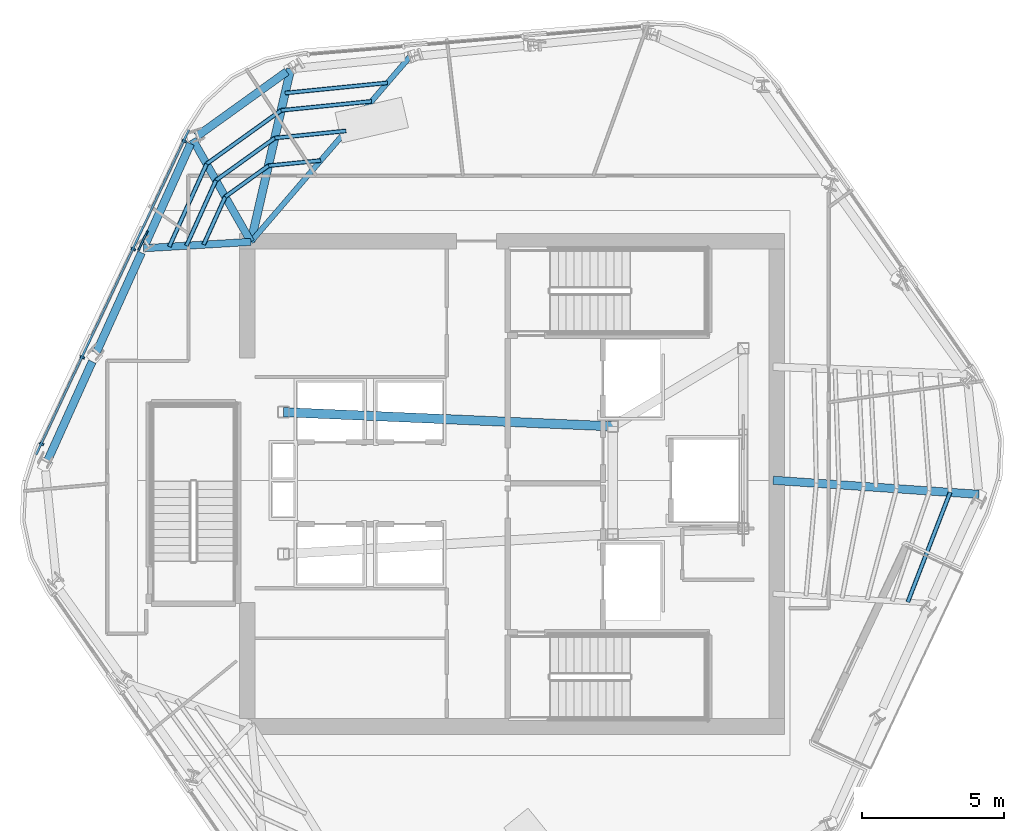
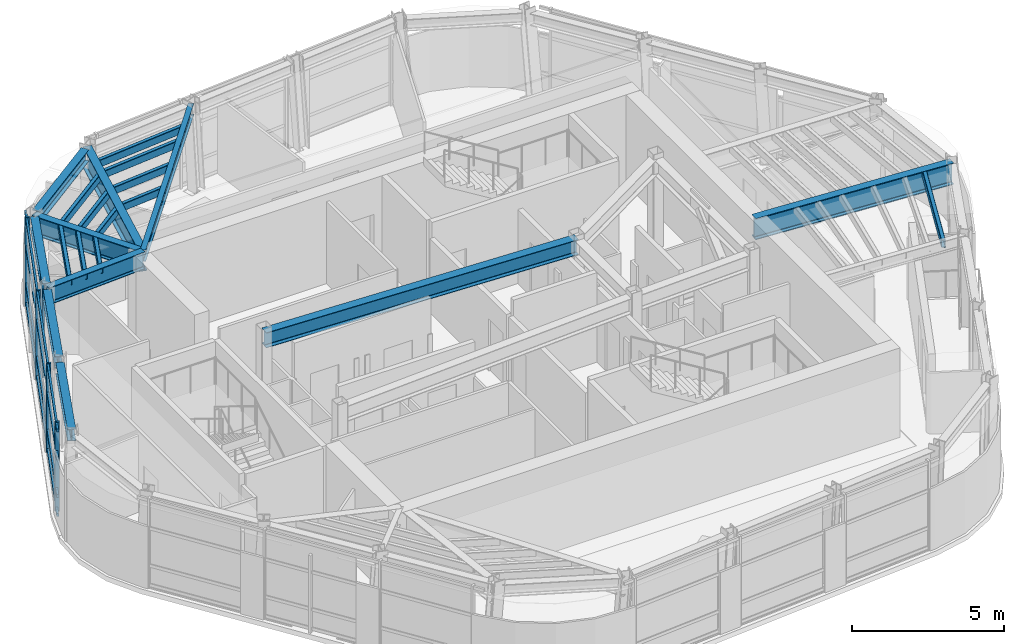
# One storey, part 3 of 14: 20 members, 10 beams, 1 element without a shape of its own.
"""IFC4 building model written with IfcOpenShell, lengths in metres."""

from ifc_helpers import new_model, si_unit, direction, frame, origin, origin_2d, place, context, subcontext, project, spatial, rectangle, hollow_rectangle, i_section, extrude, material, layer, layer_set, material_profile, profile_set, type_object, element, aggregate, save


model = new_model("IFC4")

# Units and contexts
model_context = context("Model", 3, precision=1e-05, world=origin(), true_north=direction((0.0, 1.0)))
body_context = subcontext(model_context, "Body", "Model", "MODEL_VIEW")
ifc_project = project(units=[si_unit("LENGTHUNIT", "METRE"), si_unit("AREAUNIT", "SQUARE_METRE"), si_unit("VOLUMEUNIT", "CUBIC_METRE"), si_unit("PLANEANGLEUNIT", "RADIAN"), si_unit("MASSUNIT", "GRAM", prefix="KILO")], contexts=[model_context])

# Site, building, storey
site_placement = place(None, origin())
site = spatial("IfcSite", under=ifc_project, at=site_placement, CompositionType="ELEMENT")
building_placement = place(site_placement, origin())
building = spatial("IfcBuilding", under=site, at=building_placement, Name="Valkerne Bourse Tower", CompositionType="ELEMENT")
storey_placement = place(building_placement, frame((0.0, 0.0, 304.0)))
storey = spatial("IfcBuildingStorey", under=building, at=storey_placement, Name="L77", CompositionType="ELEMENT", Elevation=304.0)

# Beams
ifc_material_1 = material(Name="Steel ASTM A992", Category="steel")
ifc_material_profile_1 = material_profile(ifc_material_1, i_section(OverallWidth=0.284423828125, OverallDepth=0.47509765625, WebThickness=0.014892578125, FlangeThickness=0.02392578125, FilletRadius=0.017822265625, at=origin_2d()), Name="W18X106")
ifc_profile_set_1 = profile_set([ifc_material_profile_1], Name="Steel ASTM A992")
beam_type_1 = type_object("IfcBeamType", Name="BM-W18X106", PredefinedType="BEAM", material=ifc_profile_set_1)
beam_1_placement = place(storey_placement, frame((38.865478515625, 41.39697265625, 3.362548828125), z_axis=(-0.81204491925, -0.583594935825, 0.0), x_axis=(0.583594935825, -0.81204491925, 0.0)))
element("IfcBeam", 1, at=beam_1_placement, inside=storey, type_object=beam_type_1, Name="L77 Hexagonal Spandrel Ring Beam 03", PredefinedType="BEAM", context=body_context, shape_type="SweptSolid", body=[
    extrude(i_section(OverallWidth=0.284423828125, OverallDepth=0.47509765625, WebThickness=0.014892578125, FlangeThickness=0.02392578125, FilletRadius=0.017822265625, at=origin_2d()), origin(), (0.0, 0.0, 1.0), 3.915771484375),
])
for number, where, z_axis, x_axis, name in (
    (2, (35.477783203125, 38.85791015625, 3.362548828125), (-0.411478598919, -0.911419421908, 0.0), (0.911419421908, -0.411478598919, 0.0), "L77 Hexagonal Spandrel Ring Beam 04"),
    (3, (33.744384765625, 35.01904296875, 3.362548828125), (-0.411478598919, -0.911419421908, 0.0), (0.911419421908, -0.411478598919, 0.0), "L77 Hexagonal Spandrel Ring Beam 05"),
    (4, (32.01123046875, 31.18017578125, 3.362548828125), (-0.411478598919, -0.911419421908, 0.0), (0.911419421908, -0.411478598919, 0.0), "L77 Hexagonal Spandrel Ring Beam 06"),
):
    element("IfcBeam", number, at=place(storey_placement, frame(where, z_axis=z_axis, x_axis=x_axis)), inside=storey, type_object=beam_type_1, Name=name, PredefinedType="BEAM", context=body_context, shape_type="SweptSolid", body=[
        extrude(i_section(OverallWidth=0.284423828125, OverallDepth=0.47509765625, WebThickness=0.014892578125, FlangeThickness=0.02392578125, FilletRadius=0.017822265625, at=origin_2d()), origin(), (0.0, 0.0, 1.0), 3.8720703125),
    ])
ifc_material_profile_2 = material_profile(ifc_material_1, i_section(OverallWidth=0.1904296875, OverallDepth=0.457275390625, WebThickness=0.009033203125, FlangeThickness=0.014404296875, FilletRadius=0.01513671875, at=origin_2d()), Name="W18X50")
ifc_profile_set_2 = profile_set([ifc_material_profile_2], Name="Steel ASTM A992")
beam_type_2 = type_object("IfcBeamType", Name="BM-W18X50", PredefinedType="JOIST", material=ifc_profile_set_2)
beam_2_placement = place(storey_placement, frame((43.19482421875, 41.914306640625, 3.371337890625), z_axis=(-0.651526262225, -0.758626080247, 0.0), x_axis=(0.758626080247, -0.651526262225, 0.0)))
element("IfcBeam", 5, at=beam_2_placement, inside=storey, type_object=beam_type_2, Name="L77 Radial Composite Floor Beam 02", PredefinedType="JOIST", context=body_context, shape_type="SweptSolid", body=[
    extrude(i_section(OverallWidth=0.1904296875, OverallDepth=0.457275390625, WebThickness=0.009033203125, FlangeThickness=0.014404296875, FilletRadius=0.01513671875, at=origin_2d()), origin(), (0.0, 0.0, 1.0), 8.587158203125),
])
ifc_material_profile_3 = material_profile(ifc_material_1, i_section(OverallWidth=0.3251953125, OverallDepth=0.612060546875, WebThickness=0.0126953125, FlangeThickness=0.01904296875, FilletRadius=0.020263671875, at=origin_2d()), Name="W24X104")
ifc_profile_set_3 = profile_set([ifc_material_profile_3], Name="Steel ASTM A992")
beam_type_3 = type_object("IfcBeamType", Name="BM-W24X104", PredefinedType="BEAM", material=ifc_profile_set_3)
beam_3_placement = place(storey_placement, frame((38.75, 29.39990234375, 3.2939453125), z_axis=(0.999072354402, -0.043063101019, 0.0), x_axis=(0.043063101019, 0.999072354402, 0.0)))
element("IfcBeam", 6, at=beam_3_placement, inside=storey, type_object=beam_type_3, Name="L77 Core Frame Girder CG-NW", PredefinedType="BEAM", context=body_context, shape_type="SweptSolid", body=[
    extrude(i_section(OverallWidth=0.3251953125, OverallDepth=0.612060546875, WebThickness=0.0126953125, FlangeThickness=0.01904296875, FilletRadius=0.020263671875, at=origin_2d()), origin(), (0.0, 0.0, 1.0), 11.61083984375),
])
ifc_material_profile_4 = material_profile(ifc_material_1, i_section(OverallWidth=0.255859375, OverallDepth=0.693359375, WebThickness=0.014404296875, FlangeThickness=0.023681640625, FilletRadius=0.02294921875, at=origin_2d()), Name="W27X114")
ifc_profile_set_4 = profile_set([ifc_material_profile_4], Name="Steel ASTM A992")
beam_type_4 = type_object("IfcBeamType", Name="BM-W27X114", PredefinedType="BEAM", material=ifc_profile_set_4)
beam_4_placement = place(storey_placement, frame((33.814453125, 35.173828125, 3.25341796875), z_axis=(0.998221586762, 0.059612613784, 0.0), x_axis=(-0.059612613784, 0.998221586762, 0.0)))
element("IfcBeam", 7, at=beam_4_placement, inside=storey, type_object=beam_type_4, Name="L77 Radial Composite Floor Beam 05", PredefinedType="BEAM", context=body_context, shape_type="SweptSolid", body=[
    extrude(i_section(OverallWidth=0.255859375, OverallDepth=0.693359375, WebThickness=0.014404296875, FlangeThickness=0.023681640625, FilletRadius=0.02294921875, at=origin_2d()), origin(), (0.0, 0.0, 1.0), 3.79248046875),
])
ifc_material_profile_5 = material_profile(ifc_material_1, i_section(OverallWidth=0.26806640625, OverallDepth=0.76953125, WebThickness=0.015625, FlangeThickness=0.025390625, FilletRadius=0.025390625, at=origin_2d()), Name="W30X132")
ifc_profile_set_5 = profile_set([ifc_material_profile_5], Name="Steel ASTM A992")
beam_type_5 = type_object("IfcBeamType", Name="BM-W30X132", PredefinedType="BEAM", material=ifc_profile_set_5)
beam_5_placement = place(storey_placement, frame((35.5478515625, 39.0126953125, 3.215087890625), z_axis=(0.493922586892, -0.869505881612, 0.0), x_axis=(0.869505881612, 0.493922586892, 0.0)))
element("IfcBeam", 8, at=beam_5_placement, inside=storey, type_object=beam_type_5, Name="L77 Radial Composite Floor Beam 04", PredefinedType="BEAM", context=body_context, shape_type="SweptSolid", body=[
    extrude(i_section(OverallWidth=0.26806640625, OverallDepth=0.76953125, WebThickness=0.015625, FlangeThickness=0.025390625, FilletRadius=0.025390625, at=origin_2d()), origin(), (0.0, 0.0, 1.0), 4.155029296875),
])
ifc_material_profile_6 = material_profile(ifc_material_1, i_section(OverallWidth=0.2919921875, OverallDepth=0.8583984375, WebThickness=0.01708984375, FlangeThickness=0.031005859375, FilletRadius=0.025390625, at=origin_2d()), Name="W33X169")
ifc_profile_set_6 = profile_set([ifc_material_profile_6], Name="Steel ASTM A992")
beam_type_6 = type_object("IfcBeamType", Name="BM-W33X169", PredefinedType="BEAM", material=ifc_profile_set_6)
beam_6_placement = place(storey_placement, frame((39.003662109375, 41.49609375, 3.170654296875), z_axis=(-0.224366377998, -0.974504863212, 0.0), x_axis=(0.974504863212, -0.224366377998, 0.0)))
element("IfcBeam", 9, at=beam_6_placement, inside=storey, type_object=beam_type_6, Name="L77 Radial Composite Floor Beam 03", PredefinedType="BEAM", context=body_context, shape_type="SweptSolid", body=[
    extrude(i_section(OverallWidth=0.2919921875, OverallDepth=0.8583984375, WebThickness=0.01708984375, FlangeThickness=0.031005859375, FilletRadius=0.025390625, at=origin_2d()), origin(), (0.0, 0.0, 1.0), 6.255615234375),
])
beam_7_placement = place(storey_placement, frame((63.252197265625, 26.503662109375, 3.170654296875), z_axis=(-0.997666202116, 0.068279932298, 0.0), x_axis=(-0.068279932298, -0.997666202116, 0.0)))
element("IfcBeam", 10, at=beam_7_placement, inside=storey, type_object=beam_type_6, Name="L77 Radial Composite Floor Beam 19", PredefinedType="BEAM", context=body_context, shape_type="SweptSolid", body=[
    extrude(i_section(OverallWidth=0.2919921875, OverallDepth=0.8583984375, WebThickness=0.01708984375, FlangeThickness=0.031005859375, FilletRadius=0.025390625, at=origin_2d()), origin(), (0.0, 0.0, 1.0), 7.26904296875),
])

# Curtain wall, members
ifc_material_2 = material(Name="Aluminium AA 6063-T6", Category="aluminium")
ifc_layer = layer(ifc_material_2, 0.2451171875)
ifc_layer_set = layer_set([ifc_layer], Name="Aluminium AA 6063-T6")
curtain_wall_type = type_object("IfcCurtainWallType", Name="CW-05", PredefinedType="NOTDEFINED", material=ifc_layer_set)
curtain_wall_placement = place(storey_placement, origin())
curtain_wall = element("IfcCurtainWall", 11, at=curtain_wall_placement, inside=storey, type_object=curtain_wall_type, Name="L77 Hexagonal Stick Curtain Wall Face 2", PredefinedType="NOTDEFINED")
ifc_material_profile_7 = material_profile(ifc_material_2, rectangle(XDim=0.074951171875, YDim=0.159912109375, at=origin_2d()), Name="CWM-75X160")
ifc_profile_set_7 = profile_set([ifc_material_profile_7], Name="Aluminium AA 6063-T6")
member_type_1 = type_object("IfcMemberType", Name="CW-MUL-160X75", PredefinedType="MULLION", material=ifc_profile_set_7)
member_1_placement = place(storey_placement, frame((35.251220703125, 38.95263671875, 0.0), z_axis=(0.0, 0.0, 1.0), x_axis=(-0.425766164687, -0.90483322939, 0.0)))
member_1 = element("IfcMember", 12, at=member_1_placement, type_object=member_type_1, Name="CW-L77-F2 Jamb Mullion 00A", PredefinedType="MULLION", context=body_context, shape_type="SweptSolid", body=[
    extrude(rectangle(XDim=0.074951171875, YDim=0.159912109375, at=origin_2d()), origin(), (0.0, 0.0, 1.0), 3.60009765625),
])
member_2_placement = place(storey_placement, frame((33.4580078125, 35.1416015625, 0.0), z_axis=(0.0, 0.0, 1.0), x_axis=(-0.425776455945, -0.904828386802, 0.0)))
member_2 = element("IfcMember", 13, at=member_2_placement, type_object=member_type_1, Name="CW-L77-F2 Jamb Mullion 01A", PredefinedType="MULLION", context=body_context, shape_type="SweptSolid", body=[
    extrude(rectangle(XDim=0.074951171875, YDim=0.159912109375, at=origin_2d()), origin(), (0.0, 0.0, 1.0), 3.60009765625),
])
member_3_placement = place(storey_placement, frame((31.66455078125, 31.330322265625, 0.0), z_axis=(0.0, 0.0, 1.0), x_axis=(-0.425785602565, -0.904824082708, 0.0)))
member_3 = element("IfcMember", 14, at=member_3_placement, type_object=member_type_1, Name="CW-L77-F2 Jamb Mullion 02A", PredefinedType="MULLION", context=body_context, shape_type="SweptSolid", body=[
    extrude(rectangle(XDim=0.074951171875, YDim=0.159912109375, at=origin_2d()), origin(), (0.0, 0.0, 1.0), 3.60009765625),
])
member_4_placement = place(storey_placement, frame((30.22900390625, 28.279296875, 0.0), z_axis=(0.0, 0.0, 1.0), x_axis=(-0.425785602565, -0.904824082708, 0.0)))
member_4 = element("IfcMember", 15, at=member_4_placement, type_object=member_type_1, Name="CW-L77-F2 Jamb Mullion 02B", PredefinedType="MULLION", context=body_context, shape_type="SweptSolid", body=[
    extrude(rectangle(XDim=0.074951171875, YDim=0.159912109375, at=origin_2d()), origin(), (0.0, 0.0, 1.0), 3.60009765625),
])
ifc_material_profile_8 = material_profile(ifc_material_2, rectangle(XDim=0.074951171875, YDim=0.1201171875, at=origin_2d()), Name="CWT-75X120")
ifc_profile_set_8 = profile_set([ifc_material_profile_8], Name="Aluminium AA 6063-T6")
member_type_2 = type_object("IfcMemberType", Name="CW-TRN-120X75", PredefinedType="USERDEFINED", material=ifc_profile_set_8)
member_5_placement = place(storey_placement, frame((35.412109375, 39.34130859375, 0.1201171875), z_axis=(-0.425779357157, -0.904827021601, 0.0), x_axis=(0.904827021601, -0.425779357157, 0.0)))
member_5 = element("IfcMember", 16, at=member_5_placement, type_object=member_type_2, Name="CW-L77-F2 Continuous Face Transom 1", ObjectType="TRANSOM", PredefinedType="USERDEFINED", context=body_context, shape_type="SweptSolid", body=[
    extrude(rectangle(XDim=0.074951171875, YDim=0.1201171875, at=origin_2d()), origin(), (0.0, 0.0, 1.0), 12.635986328125),
])
member_6_placement = place(storey_placement, frame((35.412109375, 39.34130859375, 0.89990234375), z_axis=(-0.425779357157, -0.904827021601, 0.0), x_axis=(0.904827021601, -0.425779357157, 0.0)))
member_6 = element("IfcMember", 17, at=member_6_placement, type_object=member_type_2, Name="CW-L77-F2 Continuous Face Transom 2", ObjectType="TRANSOM", PredefinedType="USERDEFINED", context=body_context, shape_type="SweptSolid", body=[
    extrude(rectangle(XDim=0.074951171875, YDim=0.1201171875, at=origin_2d()), origin(), (0.0, 0.0, 1.0), 12.635986328125),
])
member_7_placement = place(storey_placement, frame((35.412109375, 39.34130859375, 2.39990234375), z_axis=(-0.425779357157, -0.904827021601, 0.0), x_axis=(0.904827021601, -0.425779357157, 0.0)))
member_7 = element("IfcMember", 18, at=member_7_placement, type_object=member_type_2, Name="CW-L77-F2 Continuous Face Transom 3", ObjectType="TRANSOM", PredefinedType="USERDEFINED", context=body_context, shape_type="SweptSolid", body=[
    extrude(rectangle(XDim=0.074951171875, YDim=0.1201171875, at=origin_2d()), origin(), (0.0, 0.0, 1.0), 12.635986328125),
])
member_8_placement = place(storey_placement, frame((35.412109375, 39.34130859375, 3.52001953125), z_axis=(-0.425779357157, -0.904827021601, 0.0), x_axis=(0.904827021601, -0.425779357157, 0.0)))
member_8 = element("IfcMember", 19, at=member_8_placement, type_object=member_type_2, Name="CW-L77-F2 Continuous Face Transom 4", ObjectType="TRANSOM", PredefinedType="USERDEFINED", context=body_context, shape_type="SweptSolid", body=[
    extrude(rectangle(XDim=0.074951171875, YDim=0.1201171875, at=origin_2d()), origin(), (0.0, 0.0, 1.0), 12.635986328125),
])
aggregate(curtain_wall, [member_5, member_6, member_7, member_8, member_1, member_2, member_3, member_4])

# Members
ifc_material_3 = material(Name="Bronze Anodised Aluminium AA 6063-T6", Category="aluminium")
ifc_material_profile_9 = material_profile(ifc_material_3, rectangle(XDim=0.06494140625, YDim=0.75, at=origin_2d()), Name="FIN-65X750")
ifc_profile_set_9 = profile_set([ifc_material_profile_9], Name="Bronze Anodised Aluminium AA 6063-T6")
member_type_3 = type_object("IfcMemberType", Name="FIN-SOLAR-650", PredefinedType="USERDEFINED", material=ifc_profile_set_9)
member_9_placement = place(storey_placement, frame((33.7998046875, 35.445068359375, 0.00390625), z_axis=(0.0, 0.0, 1.0), x_axis=(-0.90537270427, 0.424617788561, 0.0)))
element("IfcMember", 20, at=member_9_placement, inside=storey, type_object=member_type_3, Name="L77 Bronze Anodised Solar Fin F2-01", ObjectType="SOLAR_FIN", PredefinedType="USERDEFINED", context=body_context, shape_type="SweptSolid", body=[
    extrude(rectangle(XDim=0.06494140625, YDim=0.75, at=origin_2d()), origin(), (0.0, 0.0, 1.0), 3.592041015625),
])
ifc_material_4 = material(Name="Steel ASTM A500 Grade C", Category="steel")
ifc_material_profile_10 = material_profile(ifc_material_4, hollow_rectangle(XDim=0.14990234375, YDim=0.300048828125, WallThickness=0.012451171875, OuterFilletRadius=0.02490234375, at=origin_2d()), Name="HSS300X150X12.5")
ifc_profile_set_10 = profile_set([ifc_material_profile_10], Name="Steel ASTM A500 Grade C")
member_type_4 = type_object("IfcMemberType", Name="MBR-HSS300X150X12.5", PredefinedType="PURLIN", material=ifc_profile_set_10)
member_10_placement = place(storey_placement, frame((40.061767578125, 38.266357421875, 3.43994140625), z_axis=(-0.995055432456, -0.099321127359, 0.0), x_axis=(0.099321127359, -0.995055432456, 0.0)))
element("IfcMember", 21, at=member_10_placement, inside=storey, type_object=member_type_4, Name="L77 Secondary Composite Floor Purlin K-02", PredefinedType="PURLIN", context=body_context, shape_type="SweptSolid", body=[
    extrude(hollow_rectangle(XDim=0.14990234375, YDim=0.300048828125, WallThickness=0.012451171875, OuterFilletRadius=0.02490234375, at=origin_2d()), origin(), (0.0, 0.0, 1.0), 1.853515625),
])
member_11_placement = place(storey_placement, frame((38.217529296875, 38.082275390625, 3.43994140625), z_axis=(-0.812038542817, -0.583603808229, 0.0), x_axis=(0.583603808229, -0.812038542817, 0.0)))
element("IfcMember", 22, at=member_11_placement, inside=storey, type_object=member_type_4, Name="L77 Secondary Composite Floor Purlin K-03", PredefinedType="PURLIN", context=body_context, shape_type="SweptSolid", body=[
    extrude(hollow_rectangle(XDim=0.14990234375, YDim=0.300048828125, WallThickness=0.012451171875, OuterFilletRadius=0.02490234375, at=origin_2d()), origin(), (0.0, 0.0, 1.0), 1.87255859375),
])
member_12_placement = place(storey_placement, frame((36.697021484375, 36.989501953125, 3.43994140625), z_axis=(-0.411558483909, -0.911383352011, 0.0), x_axis=(0.911383352011, -0.411558483909, 0.0)))
element("IfcMember", 23, at=member_12_placement, inside=storey, type_object=member_type_4, Name="L77 Secondary Composite Floor Purlin K-04", PredefinedType="PURLIN", context=body_context, shape_type="SweptSolid", body=[
    extrude(hollow_rectangle(XDim=0.14990234375, YDim=0.300048828125, WallThickness=0.012451171875, OuterFilletRadius=0.02490234375, at=origin_2d()), origin(), (0.0, 0.0, 1.0), 1.853271484375),
])
member_13_placement = place(storey_placement, frame((41.85205078125, 40.350830078125, 3.43994140625), z_axis=(-0.995057557571, -0.099299834441, 0.0), x_axis=(0.099299834441, -0.995057557571, 0.0)))
element("IfcMember", 24, at=member_13_placement, inside=storey, type_object=member_type_4, Name="L77 Secondary Composite Floor Purlin O-02", PredefinedType="PURLIN", context=body_context, shape_type="SweptSolid", body=[
    extrude(hollow_rectangle(XDim=0.14990234375, YDim=0.300048828125, WallThickness=0.012451171875, OuterFilletRadius=0.02490234375, at=origin_2d()), origin(), (0.0, 0.0, 1.0), 3.201171875),
])
member_14_placement = place(storey_placement, frame((38.666748046875, 40.032958984375, 3.43994140625), z_axis=(-0.812098093571, -0.583520939143, 0.0), x_axis=(0.583520939143, -0.812098093571, 0.0)))
element("IfcMember", 25, at=member_14_placement, inside=storey, type_object=member_type_4, Name="L77 Secondary Composite Floor Purlin O-03", PredefinedType="PURLIN", context=body_context, shape_type="SweptSolid", body=[
    extrude(hollow_rectangle(XDim=0.14990234375, YDim=0.300048828125, WallThickness=0.012451171875, OuterFilletRadius=0.02490234375, at=origin_2d()), origin(), (0.0, 0.0, 1.0), 3.234130859375),
])
member_15_placement = place(storey_placement, frame((36.040283203125, 38.145751953125, 3.43994140625), z_axis=(-0.411537678807, -0.911392746801, 0.0), x_axis=(0.911392746801, -0.411537678807, 0.0)))
element("IfcMember", 26, at=member_15_placement, inside=storey, type_object=member_type_4, Name="L77 Secondary Composite Floor Purlin O-04", PredefinedType="PURLIN", context=body_context, shape_type="SweptSolid", body=[
    extrude(hollow_rectangle(XDim=0.14990234375, YDim=0.300048828125, WallThickness=0.012451171875, OuterFilletRadius=0.02490234375, at=origin_2d()), origin(), (0.0, 0.0, 1.0), 3.201171875),
])
member_16_placement = place(storey_placement, frame((40.956787109375, 39.30859375, 3.43994140625), z_axis=(-0.995056302, -0.099312415384, 0.0), x_axis=(0.099312415384, -0.995056302, 0.0)))
element("IfcMember", 27, at=member_16_placement, inside=storey, type_object=member_type_4, Name="L77 Secondary Composite Floor Purlin Z-02", PredefinedType="PURLIN", context=body_context, shape_type="SweptSolid", body=[
    extrude(hollow_rectangle(XDim=0.14990234375, YDim=0.300048828125, WallThickness=0.012451171875, OuterFilletRadius=0.02490234375, at=origin_2d()), origin(), (0.0, 0.0, 1.0), 2.527099609375),
])
member_17_placement = place(storey_placement, frame((38.442138671875, 39.0576171875, 3.43994140625), z_axis=(-0.812076258963, -0.583551325616, 0.0), x_axis=(0.583551325616, -0.812076258963, 0.0)))
element("IfcMember", 28, at=member_17_placement, inside=storey, type_object=member_type_4, Name="L77 Secondary Composite Floor Purlin Z-03", PredefinedType="PURLIN", context=body_context, shape_type="SweptSolid", body=[
    extrude(hollow_rectangle(XDim=0.14990234375, YDim=0.300048828125, WallThickness=0.012451171875, OuterFilletRadius=0.02490234375, at=origin_2d()), origin(), (0.0, 0.0, 1.0), 2.55322265625),
])
member_18_placement = place(storey_placement, frame((36.36865234375, 37.567626953125, 3.43994140625), z_axis=(-0.411545307125, -0.91138930221, 0.0), x_axis=(0.91138930221, -0.411545307125, 0.0)))
element("IfcMember", 29, at=member_18_placement, inside=storey, type_object=member_type_4, Name="L77 Secondary Composite Floor Purlin Z-04", PredefinedType="PURLIN", context=body_context, shape_type="SweptSolid", body=[
    extrude(hollow_rectangle(XDim=0.14990234375, YDim=0.300048828125, WallThickness=0.012451171875, OuterFilletRadius=0.02490234375, at=origin_2d()), origin(), (0.0, 0.0, 1.0), 2.527099609375),
])
member_19_placement = place(storey_placement, frame((42.41162109375, 41.00244140625, 3.43994140625), z_axis=(-0.995053192513, -0.09934356582, 0.0), x_axis=(0.09934356582, -0.995053192513, 0.0)))
element("IfcMember", 30, at=member_19_placement, inside=storey, type_object=member_type_4, Name="L77 Secondary Composite Floor Purlin T-02", PredefinedType="PURLIN", context=body_context, shape_type="SweptSolid", body=[
    extrude(hollow_rectangle(XDim=0.14990234375, YDim=0.300048828125, WallThickness=0.012451171875, OuterFilletRadius=0.02490234375, at=origin_2d()), origin(), (0.0, 0.0, 1.0), 3.622314453125),
])
member_20_placement = place(storey_placement, frame((60.74609375, 22.7119140625, 3.43994140625), z_axis=(0.360156650343, 0.932891841112, 0.0), x_axis=(-0.932891841112, 0.360156650343, 0.0)))
element("IfcMember", 31, at=member_20_placement, inside=storey, type_object=member_type_4, Name="L77 Secondary Composite Floor Purlin T-18", PredefinedType="PURLIN", context=body_context, shape_type="SweptSolid", body=[
    extrude(hollow_rectangle(XDim=0.14990234375, YDim=0.300048828125, WallThickness=0.012451171875, OuterFilletRadius=0.02490234375, at=origin_2d()), origin(), (0.0, 0.0, 1.0), 4.13916015625),
])

save(model, "model.ifc")
